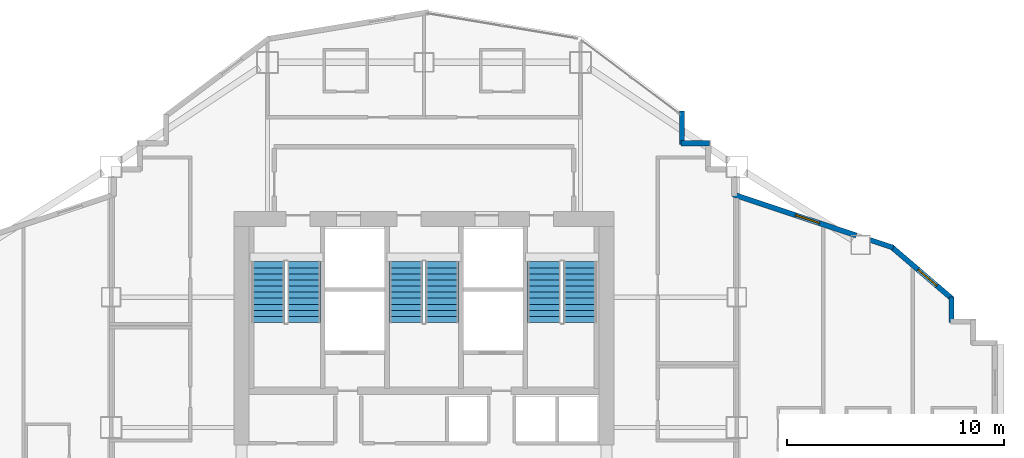
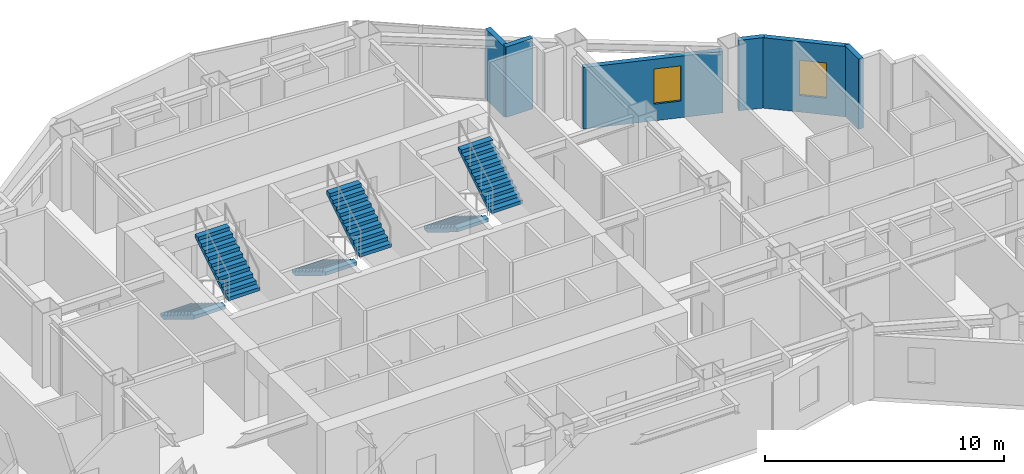
# One storey, part 12 of 16: 6 stair flights, 6 walls, 2 windows, 2 openings, 3 elements without a shape of their own.
"""IFC4 building model written with IfcOpenShell, lengths in metres."""

from ifc_helpers import new_model, si_unit, direction, frame, frame_2d, origin, place, context, subcontext, project, spatial, polyline, rectangle, outline, extrude, material, layer, layer_set, type_object, element, fill, aggregate, save


model = new_model("IFC4")

# Units and contexts
model_context = context("Model", 3, precision=1e-05, world=origin(), true_north=direction((0.0, 1.0)))
body_context = subcontext(model_context, "Body", "Model", "MODEL_VIEW")
ifc_project = project(units=[si_unit("LENGTHUNIT", "METRE"), si_unit("AREAUNIT", "SQUARE_METRE"), si_unit("VOLUMEUNIT", "CUBIC_METRE"), si_unit("PLANEANGLEUNIT", "RADIAN"), si_unit("MASSUNIT", "GRAM", prefix="KILO")], contexts=[model_context])

# Site, building, storey
site_placement = place(None, origin())
site = spatial("IfcSite", under=ifc_project, at=site_placement, CompositionType="ELEMENT")
building_placement = place(site_placement, origin())
building = spatial("IfcBuilding", under=site, at=building_placement, Name="Haolan Belvedere Tower", CompositionType="ELEMENT")
storey_placement = place(building_placement, frame((0.0, 0.0, 125.0)))
storey = spatial("IfcBuildingStorey", under=building, at=storey_placement, Name="L31", CompositionType="ELEMENT", Elevation=125.0)

# Wall
ifc_material_1 = material(Name="Precast concrete C40/50", Category="concrete")
ifc_layer = layer(ifc_material_1, 0.239990234375, Name="Precast concrete C40/50")
ifc_layer_set = layer_set([ifc_layer], Name="Precast concrete C40/50")
wall_type = type_object("IfcWallType", Name="WL-EXT-240", PredefinedType="SOLIDWALL", material=ifc_layer_set)
wall_1_placement = place(storey_placement, frame((62.679931640625, 38.425048828125, 0.0), z_axis=(0.0, 0.0, 1.0), x_axis=(0.0, 1.0, 0.0)))
element("IfcWall", 1, at=wall_1_placement, inside=storey, type_object=wall_type, Name="L31 pale-metal exterior spandrel wall 18.1", PredefinedType="SOLIDWALL", context=body_context, shape_type="SweptSolid", body=[
    extrude(rectangle(XDim=1.1748046875, YDim=0.239990234375, at=frame_2d((0.58740234375, 0.0))), origin(), (0.0, 0.0, 1.0), 3.60009765625),
])

# Wall, opening, window
wall_2_placement = place(storey_placement, frame((62.7216796875, 39.509033203125, 0.0), z_axis=(0.0, 0.0, 1.0), x_axis=(-0.759247334792, 0.650802185469, 0.0)))
wall_2 = element("IfcWall", 2, at=wall_2_placement, inside=storey, type_object=wall_type, Name="L31 pale-metal exterior spandrel wall 19.1", PredefinedType="SOLIDWALL", context=body_context, shape_type="SweptSolid", body=[
    extrude(rectangle(XDim=3.71923828125, YDim=0.239990234375, at=frame_2d((1.859619140625, 0.0))), origin(), (0.0, 0.0, 1.0), 3.60009765625),
])
opening_1_placement = place(wall_2_placement, frame((0.9375, 0.0, 0.85009765625)))
opening_1 = element("IfcOpeningElement", 3, at=opening_1_placement, cuts=wall_2, Name="Opening W-02", PredefinedType="OPENING", context=body_context, shape_type="SweptSolid", body=[
    extrude(rectangle(XDim=1.14990234375, YDim=1.800048828125, at=frame_2d((0.574951171875, 0.89990234375))), frame((0.0, 0.1298828125, 0.0), z_axis=(0.0, -1.0, 0.0), x_axis=(1.0, 0.0, 0.0)), (0.0, 0.0, 1.0), 0.260009765625),
])
ifc_material_2 = material(Name="Anodised aluminium 6063-T6 and Low-E glass", Category="aluminium")
window_type = type_object("IfcWindowType", Name="WN-DECO-Z2", PartitioningType="SINGLE_PANEL", PredefinedType="WINDOW", material=ifc_material_2)
window_1_placement = place(opening_1_placement, origin())
window_1 = element("IfcWindow", 4, at=window_1_placement, inside=storey, type_object=window_type, Name="L31 Art Deco chevron window 1", OverallHeight=1.800048828125, OverallWidth=1.14990234375, PartitioningType="SINGLE_PANEL", PredefinedType="WINDOW", context=body_context, shape_type="SweptSolid", body=[
    extrude(rectangle(XDim=1.14990234375, YDim=1.800048828125, at=frame_2d((0.574951171875, 0.89990234375))), frame((0.0, 0.030029296875, 0.0), z_axis=(0.0, -1.0, 0.0), x_axis=(1.0, 0.0, 0.0)), (0.0, 0.0, 1.0), 0.06005859375),
])
fill(opening_1, window_1)

# Wall
wall_3_placement = place(storey_placement, frame((59.991943359375, 41.876220703125, 0.0), z_axis=(0.0, 0.0, 1.0), x_axis=(-0.948661238983, 0.316293935527, 0.0)))
element("IfcWall", 5, at=wall_3_placement, inside=storey, type_object=wall_type, Name="L31 pale-metal exterior spandrel wall 20.1", PredefinedType="SOLIDWALL", context=body_context, shape_type="SweptSolid", body=[
    extrude(rectangle(XDim=1.10693359375, YDim=0.239990234375, at=frame_2d((0.553466796875, 0.0))), origin(), (0.0, 0.0, 1.0), 3.60009765625),
])

# Wall, opening, window
wall_4_placement = place(storey_placement, frame((58.294677734375, 42.44189453125, 0.0), z_axis=(0.0, 0.0, 1.0), x_axis=(-0.948687385027, 0.316215504823, 0.0)))
wall_4 = element("IfcWall", 6, at=wall_4_placement, inside=storey, type_object=wall_type, Name="L31 pale-metal exterior spandrel wall 20.2", PredefinedType="SOLIDWALL", context=body_context, shape_type="SweptSolid", body=[
    extrude(rectangle(XDim=5.973388671875, YDim=0.239990234375, at=frame_2d((2.98681640625, 0.0))), origin(), (0.0, 0.0, 1.0), 3.14501953125),
])
opening_2_placement = place(wall_4_placement, frame((1.79638671875, 0.0, 0.85009765625)))
opening_2 = element("IfcOpeningElement", 7, at=opening_2_placement, cuts=wall_4, Name="Opening W-02", PredefinedType="OPENING", context=body_context, shape_type="SweptSolid", body=[
    extrude(rectangle(XDim=1.14990234375, YDim=1.800048828125, at=frame_2d((0.574951171875, 0.89990234375))), frame((0.0, 0.1298828125, 0.0), z_axis=(0.0, -1.0, 0.0), x_axis=(1.0, 0.0, 0.0)), (0.0, 0.0, 1.0), 0.260009765625),
])
window_2_placement = place(opening_2_placement, origin())
window_2 = element("IfcWindow", 8, at=window_2_placement, inside=storey, type_object=window_type, Name="L31 Art Deco chevron window 1", OverallHeight=1.800048828125, OverallWidth=1.14990234375, PartitioningType="SINGLE_PANEL", PredefinedType="WINDOW", context=body_context, shape_type="SweptSolid", body=[
    extrude(rectangle(XDim=1.14990234375, YDim=1.800048828125, at=frame_2d((0.574951171875, 0.89990234375))), frame((0.0, 0.030029296875, 0.0), z_axis=(0.0, -1.0, 0.0), x_axis=(1.0, 0.0, 0.0)), (0.0, 0.0, 1.0), 0.06005859375),
])
fill(opening_2, window_2)

# Walls
wall_5_placement = place(storey_placement, frame((51.534912109375, 46.679931640625, 0.0), z_axis=(0.0, 0.0, 1.0), x_axis=(-1.0, 0.0, 0.0)))
element("IfcWall", 9, at=wall_5_placement, inside=storey, type_object=wall_type, Name="L31 pale-metal exterior spandrel wall 24.1", PredefinedType="SOLIDWALL", context=body_context, shape_type="SweptSolid", body=[
    extrude(rectangle(XDim=1.309814453125, YDim=0.239990234375, at=frame_2d((0.65478515625, 0.0))), origin(), (0.0, 0.0, 1.0), 3.60009765625),
])
wall_6_placement = place(storey_placement, frame((50.280029296875, 46.625, 0.0), z_axis=(0.0, 0.0, 1.0), x_axis=(0.0, 1.0, 0.0)))
element("IfcWall", 10, at=wall_6_placement, inside=storey, type_object=wall_type, Name="L31 pale-metal exterior spandrel wall 25.1", PredefinedType="SOLIDWALL", context=body_context, shape_type="SweptSolid", body=[
    extrude(rectangle(XDim=1.5400390625, YDim=0.239990234375, at=frame_2d((0.77001953125, 0.0))), origin(), (0.0, 0.0, 1.0), 3.60009765625),
])

# Stair, stair flights
ifc_material_3 = material(Name="Concrete C40/50", Category="concrete")
stair_type = type_object("IfcStairType", Name="STR-DL-22R-173", PredefinedType="HALF_TURN_STAIR", material=ifc_material_3)
stair_1_placement = place(storey_placement, origin())
stair_1 = element("IfcStair", 11, at=stair_1_placement, inside=storey, type_object=stair_type, Name="L31 Smokeproof Core Exit Stair ST1", PredefinedType="HALF_TURN_STAIR")
stair_flight_type = type_object("IfcStairFlightType", Name="SFL-DL-11R-173", PredefinedType="STRAIGHT", material=ifc_material_3)
stair_flight_1_placement = place(storey_placement, frame((31.2099609375, 41.22998046875, 0.0), z_axis=(0.0, 0.0, 1.0), x_axis=(0.0, -1.0, 0.0)))
stair_flight_1 = element("IfcStairFlight", 12, at=stair_flight_1_placement, type_object=stair_flight_type, Name="ST1 flight 1", NumberOfRisers=11, NumberOfTreads=10, PredefinedType="STRAIGHT", RiserHeight=0.172727273, TreadLength=0.28, context=body_context, shape_type="SweptSolid", body=[
    extrude(outline(polyline([(0.0, 0.0), (0.0, 0.172607421875), (0.280029296875, 0.172607421875), (0.280029296875, 0.345458984375), (0.56005859375, 0.345458984375), (0.56005859375, 0.51806640625), (0.840087890625, 0.51806640625), (0.840087890625, 0.69091796875), (1.1201171875, 0.69091796875), (1.1201171875, 0.863525390625), (1.39990234375, 0.863525390625), (1.39990234375, 1.036376953125), (1.679931640625, 1.036376953125), (1.679931640625, 1.208984375), (1.9599609375, 1.208984375), (1.9599609375, 1.3818359375), (2.239990234375, 1.3818359375), (2.239990234375, 1.554443359375), (2.52001953125, 1.554443359375), (2.52001953125, 1.727294921875), (2.800048828125, 1.727294921875), (2.800048828125, 1.89990234375), (2.800048828125, 1.551025390625), (0.285400390625, 0.0), (0.0, 0.0)])), frame((0.0, 0.760009765625, 0.0), z_axis=(0.0, -1.0, 0.0), x_axis=(1.0, 0.0, 0.0)), (0.0, 0.0, 1.0), 1.52001953125),
])
stair_flight_2_placement = place(storey_placement, frame((32.8701171875, 38.429931640625, 1.89990234375), z_axis=(0.0, 0.0, 1.0), x_axis=(0.0, 1.0, 0.0)))
stair_flight_2 = element("IfcStairFlight", 13, at=stair_flight_2_placement, type_object=stair_flight_type, Name="ST1 flight 2", NumberOfRisers=11, NumberOfTreads=10, PredefinedType="STRAIGHT", RiserHeight=0.172727273, TreadLength=0.28, context=body_context, shape_type="SweptSolid", body=[
    extrude(outline(polyline([(0.0, 0.0), (0.0, 0.172607421875), (0.280029296875, 0.172607421875), (0.280029296875, 0.345458984375), (0.56005859375, 0.345458984375), (0.56005859375, 0.51806640625), (0.840087890625, 0.51806640625), (0.840087890625, 0.69091796875), (1.1201171875, 0.69091796875), (1.1201171875, 0.863525390625), (1.39990234375, 0.863525390625), (1.39990234375, 1.036376953125), (1.679931640625, 1.036376953125), (1.679931640625, 1.208984375), (1.9599609375, 1.208984375), (1.9599609375, 1.3818359375), (2.239990234375, 1.3818359375), (2.239990234375, 1.554443359375), (2.52001953125, 1.554443359375), (2.52001953125, 1.727294921875), (2.800048828125, 1.727294921875), (2.800048828125, 1.89990234375), (2.800048828125, 1.551025390625), (0.285400390625, 0.0), (0.0, 0.0)])), frame((0.0, 0.760009765625, 0.0), z_axis=(0.0, -1.0, 0.0), x_axis=(1.0, 0.0, 0.0)), (0.0, 0.0, 1.0), 1.52001953125),
])
aggregate(stair_1, [stair_flight_1, stair_flight_2])

stair_2_placement = place(storey_placement, origin())
stair_2 = element("IfcStair", 14, at=stair_2_placement, inside=storey, type_object=stair_type, Name="L31 Smokeproof Core Exit Stair ST3", PredefinedType="HALF_TURN_STAIR")
stair_flight_3_placement = place(storey_placement, frame((37.570068359375, 41.22998046875, 0.0), z_axis=(0.0, 0.0, 1.0), x_axis=(0.0, -1.0, 0.0)))
stair_flight_3 = element("IfcStairFlight", 15, at=stair_flight_3_placement, type_object=stair_flight_type, Name="ST3 flight 1", NumberOfRisers=11, NumberOfTreads=10, PredefinedType="STRAIGHT", RiserHeight=0.172727273, TreadLength=0.28, context=body_context, shape_type="SweptSolid", body=[
    extrude(outline(polyline([(0.0, 0.0), (0.0, 0.172607421875), (0.280029296875, 0.172607421875), (0.280029296875, 0.345458984375), (0.56005859375, 0.345458984375), (0.56005859375, 0.51806640625), (0.840087890625, 0.51806640625), (0.840087890625, 0.69091796875), (1.1201171875, 0.69091796875), (1.1201171875, 0.863525390625), (1.39990234375, 0.863525390625), (1.39990234375, 1.036376953125), (1.679931640625, 1.036376953125), (1.679931640625, 1.208984375), (1.9599609375, 1.208984375), (1.9599609375, 1.3818359375), (2.239990234375, 1.3818359375), (2.239990234375, 1.554443359375), (2.52001953125, 1.554443359375), (2.52001953125, 1.727294921875), (2.800048828125, 1.727294921875), (2.800048828125, 1.89990234375), (2.800048828125, 1.551025390625), (0.285400390625, 0.0), (0.0, 0.0)])), frame((0.0, 0.760009765625, 0.0), z_axis=(0.0, -1.0, 0.0), x_axis=(1.0, 0.0, 0.0)), (0.0, 0.0, 1.0), 1.52001953125),
])
stair_flight_4_placement = place(storey_placement, frame((39.22998046875, 38.429931640625, 1.89990234375), z_axis=(0.0, 0.0, 1.0), x_axis=(0.0, 1.0, 0.0)))
stair_flight_4 = element("IfcStairFlight", 16, at=stair_flight_4_placement, type_object=stair_flight_type, Name="ST3 flight 2", NumberOfRisers=11, NumberOfTreads=10, PredefinedType="STRAIGHT", RiserHeight=0.172727273, TreadLength=0.28, context=body_context, shape_type="SweptSolid", body=[
    extrude(outline(polyline([(0.0, 0.0), (0.0, 0.172607421875), (0.280029296875, 0.172607421875), (0.280029296875, 0.345458984375), (0.56005859375, 0.345458984375), (0.56005859375, 0.51806640625), (0.840087890625, 0.51806640625), (0.840087890625, 0.69091796875), (1.1201171875, 0.69091796875), (1.1201171875, 0.863525390625), (1.39990234375, 0.863525390625), (1.39990234375, 1.036376953125), (1.679931640625, 1.036376953125), (1.679931640625, 1.208984375), (1.9599609375, 1.208984375), (1.9599609375, 1.3818359375), (2.239990234375, 1.3818359375), (2.239990234375, 1.554443359375), (2.52001953125, 1.554443359375), (2.52001953125, 1.727294921875), (2.800048828125, 1.727294921875), (2.800048828125, 1.89990234375), (2.800048828125, 1.551025390625), (0.285400390625, 0.0), (0.0, 0.0)])), frame((0.0, 0.760009765625, 0.0), z_axis=(0.0, -1.0, 0.0), x_axis=(1.0, 0.0, 0.0)), (0.0, 0.0, 1.0), 1.52001953125),
])
aggregate(stair_2, [stair_flight_3, stair_flight_4])

stair_3_placement = place(storey_placement, origin())
stair_3 = element("IfcStair", 17, at=stair_3_placement, inside=storey, type_object=stair_type, Name="L31 Smokeproof Core Exit Stair ST2", PredefinedType="HALF_TURN_STAIR")
stair_flight_5_placement = place(storey_placement, frame((43.929931640625, 41.22998046875, 0.0), z_axis=(0.0, 0.0, 1.0), x_axis=(0.0, -1.0, 0.0)))
stair_flight_5 = element("IfcStairFlight", 18, at=stair_flight_5_placement, type_object=stair_flight_type, Name="ST2 flight 1", NumberOfRisers=11, NumberOfTreads=10, PredefinedType="STRAIGHT", RiserHeight=0.172727273, TreadLength=0.28, context=body_context, shape_type="SweptSolid", body=[
    extrude(outline(polyline([(0.0, 0.0), (0.0, 0.172607421875), (0.280029296875, 0.172607421875), (0.280029296875, 0.345458984375), (0.56005859375, 0.345458984375), (0.56005859375, 0.51806640625), (0.840087890625, 0.51806640625), (0.840087890625, 0.69091796875), (1.1201171875, 0.69091796875), (1.1201171875, 0.863525390625), (1.39990234375, 0.863525390625), (1.39990234375, 1.036376953125), (1.679931640625, 1.036376953125), (1.679931640625, 1.208984375), (1.9599609375, 1.208984375), (1.9599609375, 1.3818359375), (2.239990234375, 1.3818359375), (2.239990234375, 1.554443359375), (2.52001953125, 1.554443359375), (2.52001953125, 1.727294921875), (2.800048828125, 1.727294921875), (2.800048828125, 1.89990234375), (2.800048828125, 1.551025390625), (0.285400390625, 0.0), (0.0, 0.0)])), frame((0.0, 0.760009765625, 0.0), z_axis=(0.0, -1.0, 0.0), x_axis=(1.0, 0.0, 0.0)), (0.0, 0.0, 1.0), 1.52001953125),
])
stair_flight_6_placement = place(storey_placement, frame((45.590087890625, 38.429931640625, 1.89990234375), z_axis=(0.0, 0.0, 1.0), x_axis=(0.0, 1.0, 0.0)))
stair_flight_6 = element("IfcStairFlight", 19, at=stair_flight_6_placement, type_object=stair_flight_type, Name="ST2 flight 2", NumberOfRisers=11, NumberOfTreads=10, PredefinedType="STRAIGHT", RiserHeight=0.172727273, TreadLength=0.28, context=body_context, shape_type="SweptSolid", body=[
    extrude(outline(polyline([(0.0, 0.0), (0.0, 0.172607421875), (0.280029296875, 0.172607421875), (0.280029296875, 0.345458984375), (0.56005859375, 0.345458984375), (0.56005859375, 0.51806640625), (0.840087890625, 0.51806640625), (0.840087890625, 0.69091796875), (1.1201171875, 0.69091796875), (1.1201171875, 0.863525390625), (1.39990234375, 0.863525390625), (1.39990234375, 1.036376953125), (1.679931640625, 1.036376953125), (1.679931640625, 1.208984375), (1.9599609375, 1.208984375), (1.9599609375, 1.3818359375), (2.239990234375, 1.3818359375), (2.239990234375, 1.554443359375), (2.52001953125, 1.554443359375), (2.52001953125, 1.727294921875), (2.800048828125, 1.727294921875), (2.800048828125, 1.89990234375), (2.800048828125, 1.551025390625), (0.285400390625, 0.0), (0.0, 0.0)])), frame((0.0, 0.760009765625, 0.0), z_axis=(0.0, -1.0, 0.0), x_axis=(1.0, 0.0, 0.0)), (0.0, 0.0, 1.0), 1.52001953125),
])
aggregate(stair_3, [stair_flight_5, stair_flight_6])

save(model, "model.ifc")
